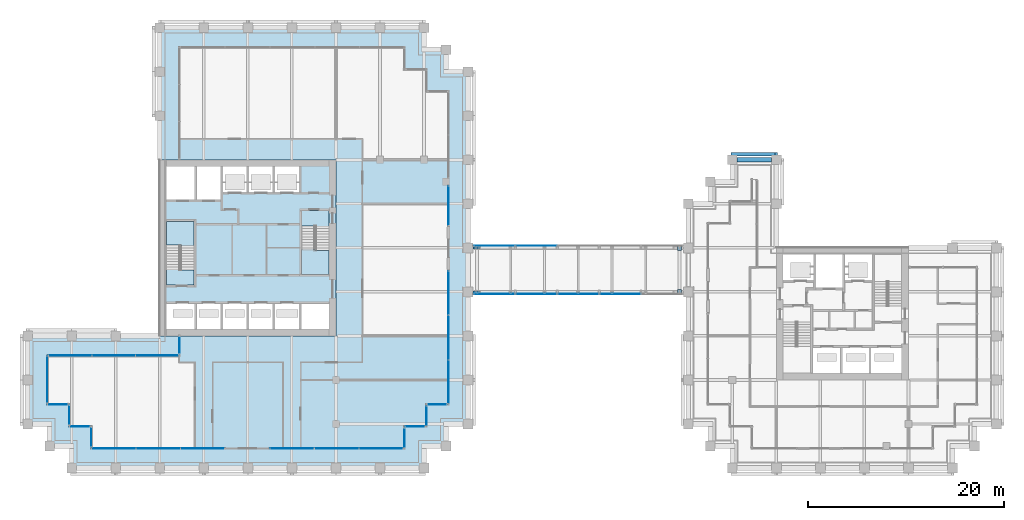
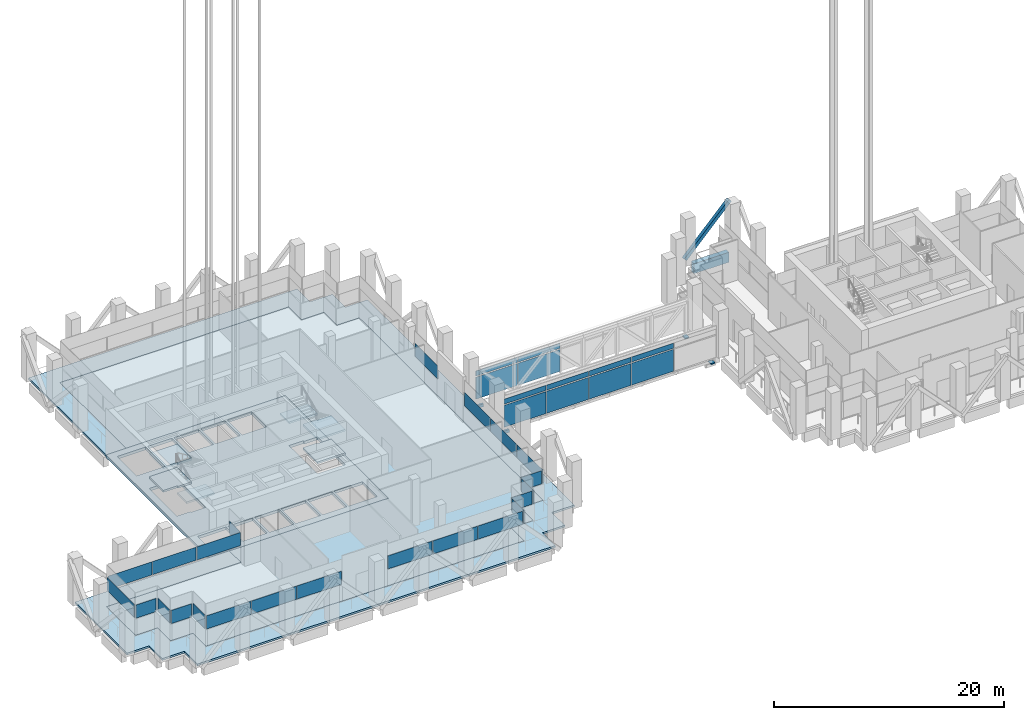
# One storey, part 30 of 48: 35 plates, 9 slabs, 3 beams, 3 members, 19 elements without a shape of their own.
"""IFC4 building model written with IfcOpenShell, lengths in metres."""

from ifc_helpers import new_model, si_unit, direction, frame, origin, origin_2d, place, context, subcontext, project, spatial, polyline, rectangle, hollow_rectangle, outline, extrude, material, layer, layer_set, material_profile, profile_set, type_object, element, aggregate, save


model = new_model("IFC4")

# Units and contexts
model_context = context("Model", 3, precision=1e-05, world=origin(), true_north=direction((0.0, 1.0)))
body_context = subcontext(model_context, "Body", "Model", "MODEL_VIEW")
ifc_project = project(units=[si_unit("LENGTHUNIT", "METRE"), si_unit("AREAUNIT", "SQUARE_METRE"), si_unit("VOLUMEUNIT", "CUBIC_METRE"), si_unit("PLANEANGLEUNIT", "RADIAN"), si_unit("MASSUNIT", "GRAM", prefix="KILO")], contexts=[model_context])

# Site, building, storey
site_placement = place(None, origin())
site = spatial("IfcSite", under=ifc_project, at=site_placement, CompositionType="ELEMENT")
building_placement = place(site_placement, origin())
building = spatial("IfcBuilding", under=site, at=building_placement, Name="Altepetl Exchange Towers", CompositionType="ELEMENT")
storey_placement = place(building_placement, frame((0.0, 0.0, 138.800048828125)))
storey = spatial("IfcBuildingStorey", under=building, at=storey_placement, Name="L34 Refuge and sky lobby", CompositionType="ELEMENT", Elevation=138.800048828125)

# Member
ifc_material_1 = material(Name="Steel S355", Category="steel")
ifc_material_profile_1 = material_profile(ifc_material_1, hollow_rectangle(XDim=0.35595703125, YDim=0.35595703125, WallThickness=0.014892578125, at=origin_2d()), Name="HSS356X356X15.9")
ifc_profile_set_1 = profile_set([ifc_material_profile_1], Name="Steel S355")
member_type_1 = type_object("IfcMemberType", Name="Belt diagonal HSS356X356X15.9", PredefinedType="BRACE", material=ifc_profile_set_1)
member_placement = place(storey_placement, frame((103.5, 59.080078125, 4.75), z_axis=(-0.687744647911, 0.0, -0.725952683906), x_axis=(0.0, -1.0, 0.0)))
element("IfcMember", 1, at=member_placement, inside=storey, type_object=member_type_1, Name="brc:B:L34:011", PredefinedType="BRACE", context=body_context, shape_type="SweptSolid", body=[
    extrude(hollow_rectangle(XDim=0.35595703125, YDim=0.35595703125, WallThickness=0.014892578125, at=origin_2d()), origin(), (0.0, 0.0, 1.0), 6.543212890625),
])

# Beams
ifc_material_profile_2 = material_profile(ifc_material_1, hollow_rectangle(XDim=0.202880859375, YDim=0.304931640625, WallThickness=0.01171875, at=origin_2d()), Name="HSS305X203X12.7")
ifc_profile_set_2 = profile_set([ifc_material_profile_2], Name="Steel S355")
beam_type_1 = type_object("IfcBeamType", Name="Bridge deck beam HSS305X203X12.7", PredefinedType="BEAM", material=ifc_profile_set_2)
for number, where, z_axis, x_axis, name in (
    (2, (72.5, 45.0, -0.657470703125), (1.0, 0.0, 0.0), (0.0, 1.0, 0.0), "bm:X:L34:corbel-as"),
    (3, (72.5, 49.5, -0.657470703125), (1.0, 0.0, 0.0), (0.0, 1.0, 0.0), "bm:X:L34:corbel-an"),
):
    element("IfcBeam", number, at=place(storey_placement, frame(where, z_axis=z_axis, x_axis=x_axis)), inside=storey, type_object=beam_type_1, Name=name, PredefinedType="BEAM", context=body_context, shape_type="SweptSolid", body=[
        extrude(hollow_rectangle(XDim=0.202880859375, YDim=0.304931640625, WallThickness=0.01171875, at=origin_2d()), origin(), (0.0, 0.0, 1.0), 0.699951171875),
    ])

# Members
ifc_material_2 = material(Name="Steel S460", Category="steel")
ifc_material_profile_3 = material_profile(ifc_material_2, rectangle(XDim=0.5, YDim=0.1201171875, at=origin_2d()), Name="500 x 120")
ifc_profile_set_3 = profile_set([ifc_material_profile_3], Name="Steel S460")
member_type_2 = type_object("IfcMemberType", Name="Sliding bearing 500x120", PredefinedType="USERDEFINED", material=ifc_profile_set_3)
for number, where, z_axis, x_axis, name in (
    (4, (93.39990234375, 45.0, -0.56494140625), (1.0, 0.0, 0.0), (0.0, 1.0, 0.0), "Sliding bearing BR2S"),
    (5, (93.39990234375, 49.5, -0.56494140625), (1.0, 0.0, 0.0), (0.0, 1.0, 0.0), "Sliding bearing BR2N"),
):
    element("IfcMember", number, at=place(storey_placement, frame(where, z_axis=z_axis, x_axis=x_axis)), inside=storey, type_object=member_type_2, Name=name, ObjectType="BEARING", PredefinedType="USERDEFINED", context=body_context, shape_type="SweptSolid", body=[
        extrude(rectangle(XDim=0.5, YDim=0.1201171875, at=origin_2d()), origin(), (0.0, 0.0, 1.0), 0.400146484375),
    ])

# Beam
ifc_material_3 = material(Name="Concrete C50/60 precast with cantera rosa facing", Category="concrete")
ifc_material_profile_4 = material_profile(ifc_material_3, rectangle(XDim=0.5, YDim=1.050048828125, at=origin_2d()), Name="500 x 1050")
ifc_profile_set_4 = profile_set([ifc_material_profile_4], Name="Concrete C50/60 precast with cantera rosa facing")
beam_type_2 = type_object("IfcBeamType", Name="Spandrel beam 500x1050 cantera rosa", PredefinedType="SPANDREL", material=ifc_profile_set_4)
beam_placement = place(storey_placement, frame((103.0, 58.5, -0.72509765625), z_axis=(-1.0, 0.0, 0.0), x_axis=(0.0, -1.0, 0.0)))
element("IfcBeam", 6, at=beam_placement, inside=storey, type_object=beam_type_2, Name="sp:B:L34:017", PredefinedType="SPANDREL", context=body_context, shape_type="SweptSolid", body=[
    extrude(rectangle(XDim=0.5, YDim=1.050048828125, at=origin_2d()), origin(), (0.0, 0.0, 1.0), 3.5),
])

# Slabs
ifc_material_4 = material(Name="Concrete C40/50", Category="concrete")
ifc_layer_1 = layer(ifc_material_4, 0.199951171875)
ifc_layer_set_1 = layer_set([ifc_layer_1], Name="Concrete C40/50")
slab_type_1 = type_object("IfcSlabType", Name="Composite floor slab 200", PredefinedType="FLOOR", material=ifc_layer_set_1)
slab_1_placement = place(storey_placement, frame((0.0, 0.0, -0.199951171875)))
element("IfcSlab", 7, at=slab_1_placement, inside=storey, type_object=slab_type_1, Name="slab:A:L34:strip0", PredefinedType="FLOOR", context=body_context, shape_type="SweptSolid", body=[
    extrude(outline(polyline([(42.5, 70.0), (42.5, 58.5), (58.5, 58.5), (58.5, 40.5), (42.5, 40.5), (42.5, 38.5), (29.0, 38.5), (29.0, 33.5), (31.25, 33.5), (31.25, 31.25), (33.5, 31.25), (33.5, 29.0), (65.5, 29.0), (65.5, 31.25), (67.75, 31.25), (67.75, 33.5), (70.0, 33.5), (70.0, 65.5), (67.75, 65.5), (67.75, 67.75), (65.5, 67.75), (65.5, 70.0), (42.5, 70.0)])), origin(), (0.0, 0.0, 1.0), 0.199951171875),
])
ifc_layer_2 = layer(ifc_material_4, 0.300048828125)
ifc_layer_set_2 = layer_set([ifc_layer_2], Name="Concrete C40/50")
slab_type_2 = type_object("IfcSlabType", Name="Core floor slab 300", PredefinedType="FLOOR", material=ifc_layer_set_2)
slab_2_placement = place(storey_placement, frame((0.0, 0.0, -0.300048828125)))
element("IfcSlab", 8, at=slab_2_placement, inside=storey, type_object=slab_type_2, Name="slab:A:L34:core0", PredefinedType="FLOOR", context=body_context, shape_type="SweptSolid", body=[
    extrude(outline(polyline([(40.5, 40.5), (58.5, 40.5), (58.5, 58.5), (40.5, 58.5), (40.5, 40.5)]), holes=[polyline([(41.199951171875, 43.800048828125), (44.06689453125, 43.800048828125), (44.06689453125, 41.199951171875), (41.199951171875, 41.199951171875), (41.199951171875, 43.800048828125)]), polyline([(46.73291015625, 43.800048828125), (46.73291015625, 41.199951171875), (44.26708984375, 41.199951171875), (44.26708984375, 43.800048828125), (46.73291015625, 43.800048828125)]), polyline([(49.39990234375, 43.800048828125), (49.39990234375, 41.199951171875), (46.93310546875, 41.199951171875), (46.93310546875, 43.800048828125), (49.39990234375, 43.800048828125)]), polyline([(44.0, 47.2509765625), (42.550048828125, 47.2509765625), (42.550048828125, 47.35009765625), (41.199951171875, 47.35009765625), (41.199951171875, 52.199951171875), (44.0, 52.199951171875), (44.0, 47.2509765625)]), polyline([(44.06689453125, 57.800048828125), (44.06689453125, 54.39990234375), (41.199951171875, 54.39990234375), (41.199951171875, 57.800048828125), (44.06689453125, 57.800048828125)]), polyline([(46.73291015625, 57.800048828125), (46.73291015625, 54.39990234375), (44.26708984375, 54.39990234375), (44.26708984375, 57.800048828125), (46.73291015625, 57.800048828125)]), polyline([(46.93310546875, 57.800048828125), (49.39990234375, 57.800048828125), (49.39990234375, 55.199951171875), (46.93310546875, 55.199951171875), (46.93310546875, 57.800048828125)]), polyline([(52.06689453125, 43.800048828125), (52.06689453125, 41.199951171875), (49.60009765625, 41.199951171875), (49.60009765625, 43.800048828125), (52.06689453125, 43.800048828125)]), polyline([(54.73291015625, 43.800048828125), (54.73291015625, 41.199951171875), (52.26708984375, 41.199951171875), (52.26708984375, 43.800048828125), (54.73291015625, 43.800048828125)]), polyline([(57.800048828125, 43.800048828125), (57.800048828125, 41.199951171875), (54.93310546875, 41.199951171875), (54.93310546875, 43.800048828125), (57.800048828125, 43.800048828125)]), polyline([(56.449951171875, 51.7490234375), (56.449951171875, 51.64990234375), (57.800048828125, 51.64990234375), (57.800048828125, 46.800048828125), (55.0, 46.800048828125), (55.0, 51.7490234375), (56.449951171875, 51.7490234375)]), polyline([(52.06689453125, 57.800048828125), (52.06689453125, 55.199951171875), (49.60009765625, 55.199951171875), (49.60009765625, 57.800048828125), (52.06689453125, 57.800048828125)]), polyline([(54.73291015625, 57.800048828125), (54.73291015625, 55.199951171875), (52.26708984375, 55.199951171875), (52.26708984375, 57.800048828125), (54.73291015625, 57.800048828125)])]), origin(), (0.0, 0.0, 1.0), 0.300048828125),
])

# Curtain wall, plates
ifc_material_5 = material(Name="Aluminium 6063-T6 glazing", Category="aluminium")
curtain_wall_type_1 = type_object("IfcCurtainWallType", Name="Bridge enclosure system", PredefinedType="NOTDEFINED", material=ifc_material_5)
curtain_wall_1_placement = place(storey_placement, origin())
curtain_wall_1 = element("IfcCurtainWall", 9, at=curtain_wall_1_placement, inside=storey, type_object=curtain_wall_type_1, Name="CW6 run", PredefinedType="NOTDEFINED")
ifc_material_6 = material(Name="Glass 6-16-6 low emissivity", Category="glass")
ifc_layer_3 = layer(ifc_material_6, 0.028076171875)
ifc_layer_set_3 = layer_set([ifc_layer_3], Name="Glass 6-16-6 low emissivity")
plate_type_1 = type_object("IfcPlateType", Name="Glass panel 28 double glazed", PredefinedType="CURTAIN_PANEL", material=ifc_layer_set_3)
plate_1_placement = place(storey_placement, frame((74.705078125, 44.784912109375, 0.0)))
plate_1 = element("IfcPlate", 10, at=plate_1_placement, type_object=plate_type_1, Name="GP1 panel", PredefinedType="CURTAIN_PANEL", context=body_context, shape_type="SweptSolid", body=[
    extrude(rectangle(XDim=4.18994140625, YDim=0.028076171875, at=origin_2d()), origin(), (0.0, 0.0, 1.0), 2.340087890625),
])
plate_2_placement = place(storey_placement, frame((74.705078125, 44.784912109375, 2.4599609375)))
plate_2 = element("IfcPlate", 11, at=plate_2_placement, type_object=plate_type_1, Name="GP1 panel", PredefinedType="CURTAIN_PANEL", context=body_context, shape_type="SweptSolid", body=[
    extrude(rectangle(XDim=4.18994140625, YDim=0.028076171875, at=origin_2d()), origin(), (0.0, 0.0, 1.0), 0.5400390625),
])
plate_3_placement = place(storey_placement, frame((78.969970703125, 44.784912109375, 0.0)))
plate_3 = element("IfcPlate", 12, at=plate_3_placement, type_object=plate_type_1, Name="GP1 panel", PredefinedType="CURTAIN_PANEL", context=body_context, shape_type="SweptSolid", body=[
    extrude(rectangle(XDim=4.219970703125, YDim=0.028076171875, at=origin_2d()), origin(), (0.0, 0.0, 1.0), 2.340087890625),
])
plate_4_placement = place(storey_placement, frame((78.969970703125, 44.784912109375, 2.4599609375)))
plate_4 = element("IfcPlate", 13, at=plate_4_placement, type_object=plate_type_1, Name="GP1 panel", PredefinedType="CURTAIN_PANEL", context=body_context, shape_type="SweptSolid", body=[
    extrude(rectangle(XDim=4.219970703125, YDim=0.028076171875, at=origin_2d()), origin(), (0.0, 0.0, 1.0), 0.5400390625),
])
plate_5_placement = place(storey_placement, frame((83.25, 44.784912109375, 0.0)))
plate_5 = element("IfcPlate", 14, at=plate_5_placement, type_object=plate_type_1, Name="GP1 panel", PredefinedType="CURTAIN_PANEL", context=body_context, shape_type="SweptSolid", body=[
    extrude(rectangle(XDim=4.219970703125, YDim=0.028076171875, at=origin_2d()), origin(), (0.0, 0.0, 1.0), 2.340087890625),
])
plate_6_placement = place(storey_placement, frame((83.25, 44.784912109375, 2.4599609375)))
plate_6 = element("IfcPlate", 15, at=plate_6_placement, type_object=plate_type_1, Name="GP1 panel", PredefinedType="CURTAIN_PANEL", context=body_context, shape_type="SweptSolid", body=[
    extrude(rectangle(XDim=4.219970703125, YDim=0.028076171875, at=origin_2d()), origin(), (0.0, 0.0, 1.0), 0.5400390625),
])
plate_7_placement = place(storey_placement, frame((87.530029296875, 44.784912109375, 0.0)))
plate_7 = element("IfcPlate", 16, at=plate_7_placement, type_object=plate_type_1, Name="GP1 panel", PredefinedType="CURTAIN_PANEL", context=body_context, shape_type="SweptSolid", body=[
    extrude(rectangle(XDim=4.219970703125, YDim=0.028076171875, at=origin_2d()), origin(), (0.0, 0.0, 1.0), 2.340087890625),
])
plate_8_placement = place(storey_placement, frame((87.530029296875, 44.784912109375, 2.4599609375)))
plate_8 = element("IfcPlate", 17, at=plate_8_placement, type_object=plate_type_1, Name="GP1 panel", PredefinedType="CURTAIN_PANEL", context=body_context, shape_type="SweptSolid", body=[
    extrude(rectangle(XDim=4.219970703125, YDim=0.028076171875, at=origin_2d()), origin(), (0.0, 0.0, 1.0), 0.5400390625),
])
aggregate(curtain_wall_1, [plate_1, plate_2, plate_3, plate_4, plate_5, plate_6, plate_7, plate_8])

curtain_wall_2_placement = place(storey_placement, origin())
curtain_wall_2 = element("IfcCurtainWall", 18, at=curtain_wall_2_placement, inside=storey, type_object=curtain_wall_type_1, Name="CW6 run", PredefinedType="NOTDEFINED")
plate_9_placement = place(storey_placement, frame((74.705078125, 49.715087890625, 0.0)))
plate_9 = element("IfcPlate", 19, at=plate_9_placement, type_object=plate_type_1, Name="GP1 panel", PredefinedType="CURTAIN_PANEL", context=body_context, shape_type="SweptSolid", body=[
    extrude(rectangle(XDim=4.18994140625, YDim=0.028076171875, at=origin_2d()), origin(), (0.0, 0.0, 1.0), 2.340087890625),
])
plate_10_placement = place(storey_placement, frame((74.705078125, 49.715087890625, 2.4599609375)))
plate_10 = element("IfcPlate", 20, at=plate_10_placement, type_object=plate_type_1, Name="GP1 panel", PredefinedType="CURTAIN_PANEL", context=body_context, shape_type="SweptSolid", body=[
    extrude(rectangle(XDim=4.18994140625, YDim=0.028076171875, at=origin_2d()), origin(), (0.0, 0.0, 1.0), 0.5400390625),
])
plate_11_placement = place(storey_placement, frame((78.969970703125, 49.715087890625, 0.0)))
plate_11 = element("IfcPlate", 21, at=plate_11_placement, type_object=plate_type_1, Name="GP1 panel", PredefinedType="CURTAIN_PANEL", context=body_context, shape_type="SweptSolid", body=[
    extrude(rectangle(XDim=4.219970703125, YDim=0.028076171875, at=origin_2d()), origin(), (0.0, 0.0, 1.0), 2.340087890625),
])
plate_12_placement = place(storey_placement, frame((78.969970703125, 49.715087890625, 2.4599609375)))
plate_12 = element("IfcPlate", 22, at=plate_12_placement, type_object=plate_type_1, Name="GP1 panel", PredefinedType="CURTAIN_PANEL", context=body_context, shape_type="SweptSolid", body=[
    extrude(rectangle(XDim=4.219970703125, YDim=0.028076171875, at=origin_2d()), origin(), (0.0, 0.0, 1.0), 0.5400390625),
])
aggregate(curtain_wall_2, [plate_9, plate_10, plate_11, plate_12])

# Curtain wall, plate
curtain_wall_type_2 = type_object("IfcCurtainWallType", Name="Refuge slit glazing system", PredefinedType="NOTDEFINED", material=ifc_material_5)
curtain_wall_3_placement = place(storey_placement, origin())
curtain_wall_3 = element("IfcCurtainWall", 23, at=curtain_wall_3_placement, inside=storey, type_object=curtain_wall_type_2, Name="CW3 run", PredefinedType="NOTDEFINED")
ifc_material_7 = material(Name="Glass 8-20-8 solar control", Category="glass")
ifc_layer_4 = layer(ifc_material_7, 0.035888671875)
ifc_layer_set_4 = layer_set([ifc_layer_4], Name="Glass 8-20-8 solar control")
plate_type_2 = type_object("IfcPlateType", Name="Glass panel 36 double glazed", PredefinedType="CURTAIN_PANEL", material=ifc_layer_set_4)
plate_13_placement = place(storey_placement, frame((42.5, 39.550048828125, 1.800048828125), z_axis=(0.0, 0.0, 1.0), x_axis=(0.0, -1.0, 0.0)))
plate_13 = element("IfcPlate", 24, at=plate_13_placement, type_object=plate_type_2, Name="GP2 panel", PredefinedType="CURTAIN_PANEL", context=body_context, shape_type="SweptSolid", body=[
    extrude(rectangle(XDim=1.780029296875, YDim=0.035888671875, at=origin_2d()), origin(), (0.0, 0.0, 1.0), 1.39990234375),
])
aggregate(curtain_wall_3, [plate_13])

# Curtain wall, plates
curtain_wall_4_placement = place(storey_placement, origin())
curtain_wall_4 = element("IfcCurtainWall", 25, at=curtain_wall_4_placement, inside=storey, type_object=curtain_wall_type_2, Name="CW3 run", PredefinedType="NOTDEFINED")
plate_14_placement = place(storey_placement, frame((40.251708984375, 38.5, 1.800048828125), z_axis=(0.0, 0.0, 1.0), x_axis=(-1.0, 0.0, 0.0)))
plate_14 = element("IfcPlate", 26, at=plate_14_placement, type_object=plate_type_2, Name="GP2 panel", PredefinedType="CURTAIN_PANEL", context=body_context, shape_type="SweptSolid", body=[
    extrude(rectangle(XDim=4.376708984375, YDim=0.035888671875, at=origin_2d()), origin(), (0.0, 0.0, 1.0), 1.39990234375),
])
plate_15_placement = place(storey_placement, frame((35.800048828125, 38.5, 1.800048828125), z_axis=(0.0, 0.0, 1.0), x_axis=(-1.0, 0.0, 0.0)))
plate_15 = element("IfcPlate", 27, at=plate_15_placement, type_object=plate_type_2, Name="GP2 panel", PredefinedType="CURTAIN_PANEL", context=body_context, shape_type="SweptSolid", body=[
    extrude(rectangle(XDim=4.40673828125, YDim=0.035888671875, at=origin_2d()), origin(), (0.0, 0.0, 1.0), 1.39990234375),
])
plate_16_placement = place(storey_placement, frame((31.348388671875, 38.5, 1.800048828125), z_axis=(0.0, 0.0, 1.0), x_axis=(-1.0, 0.0, 0.0)))
plate_16 = element("IfcPlate", 28, at=plate_16_placement, type_object=plate_type_2, Name="GP2 panel", PredefinedType="CURTAIN_PANEL", context=body_context, shape_type="SweptSolid", body=[
    extrude(rectangle(XDim=4.376708984375, YDim=0.035888671875, at=origin_2d()), origin(), (0.0, 0.0, 1.0), 1.39990234375),
])
aggregate(curtain_wall_4, [plate_14, plate_15, plate_16])

# Curtain wall, plate
curtain_wall_5_placement = place(storey_placement, origin())
curtain_wall_5 = element("IfcCurtainWall", 29, at=curtain_wall_5_placement, inside=storey, type_object=curtain_wall_type_2, Name="CW3 run", PredefinedType="NOTDEFINED")
plate_17_placement = place(storey_placement, frame((29.0, 36.050048828125, 1.800048828125), z_axis=(0.0, 0.0, 1.0), x_axis=(0.0, -1.0, 0.0)))
plate_17 = element("IfcPlate", 30, at=plate_17_placement, type_object=plate_type_2, Name="GP2 panel", PredefinedType="CURTAIN_PANEL", context=body_context, shape_type="SweptSolid", body=[
    extrude(rectangle(XDim=4.780029296875, YDim=0.035888671875, at=origin_2d()), origin(), (0.0, 0.0, 1.0), 1.39990234375),
])
aggregate(curtain_wall_5, [plate_17])

curtain_wall_6_placement = place(storey_placement, origin())
curtain_wall_6 = element("IfcCurtainWall", 31, at=curtain_wall_6_placement, inside=storey, type_object=curtain_wall_type_2, Name="CW3 run", PredefinedType="NOTDEFINED")
plate_18_placement = place(storey_placement, frame((30.074951171875, 33.5, 1.800048828125)))
plate_18 = element("IfcPlate", 32, at=plate_18_placement, type_object=plate_type_2, Name="GP2 panel", PredefinedType="CURTAIN_PANEL", context=body_context, shape_type="SweptSolid", body=[
    extrude(rectangle(XDim=2.030029296875, YDim=0.035888671875, at=origin_2d()), origin(), (0.0, 0.0, 1.0), 1.39990234375),
])
aggregate(curtain_wall_6, [plate_18])

curtain_wall_7_placement = place(storey_placement, origin())
curtain_wall_7 = element("IfcCurtainWall", 33, at=curtain_wall_7_placement, inside=storey, type_object=curtain_wall_type_2, Name="CW3 run", PredefinedType="NOTDEFINED")
plate_19_placement = place(storey_placement, frame((31.25, 32.425048828125, 1.800048828125), z_axis=(0.0, 0.0, 1.0), x_axis=(0.0, -1.0, 0.0)))
plate_19 = element("IfcPlate", 34, at=plate_19_placement, type_object=plate_type_2, Name="GP2 panel", PredefinedType="CURTAIN_PANEL", context=body_context, shape_type="SweptSolid", body=[
    extrude(rectangle(XDim=2.030029296875, YDim=0.035888671875, at=origin_2d()), origin(), (0.0, 0.0, 1.0), 1.39990234375),
])
aggregate(curtain_wall_7, [plate_19])

curtain_wall_8_placement = place(storey_placement, origin())
curtain_wall_8 = element("IfcCurtainWall", 35, at=curtain_wall_8_placement, inside=storey, type_object=curtain_wall_type_2, Name="CW3 run", PredefinedType="NOTDEFINED")
plate_20_placement = place(storey_placement, frame((32.324951171875, 31.25, 1.800048828125)))
plate_20 = element("IfcPlate", 36, at=plate_20_placement, type_object=plate_type_2, Name="GP2 panel", PredefinedType="CURTAIN_PANEL", context=body_context, shape_type="SweptSolid", body=[
    extrude(rectangle(XDim=2.030029296875, YDim=0.035888671875, at=origin_2d()), origin(), (0.0, 0.0, 1.0), 1.39990234375),
])
aggregate(curtain_wall_8, [plate_20])

curtain_wall_9_placement = place(storey_placement, origin())
curtain_wall_9 = element("IfcCurtainWall", 37, at=curtain_wall_9_placement, inside=storey, type_object=curtain_wall_type_2, Name="CW3 run", PredefinedType="NOTDEFINED")
plate_21_placement = place(storey_placement, frame((33.5, 30.175048828125, 1.800048828125), z_axis=(0.0, 0.0, 1.0), x_axis=(0.0, -1.0, 0.0)))
plate_21 = element("IfcPlate", 38, at=plate_21_placement, type_object=plate_type_2, Name="GP2 panel", PredefinedType="CURTAIN_PANEL", context=body_context, shape_type="SweptSolid", body=[
    extrude(rectangle(XDim=2.030029296875, YDim=0.035888671875, at=origin_2d()), origin(), (0.0, 0.0, 1.0), 1.39990234375),
])
aggregate(curtain_wall_9, [plate_21])

# Curtain wall, plates
curtain_wall_10_placement = place(storey_placement, origin())
curtain_wall_10 = element("IfcCurtainWall", 39, at=curtain_wall_10_placement, inside=storey, type_object=curtain_wall_type_2, Name="CW3 run", PredefinedType="NOTDEFINED")
plate_22_placement = place(storey_placement, frame((35.79345703125, 29.0, 1.800048828125)))
plate_22 = element("IfcPlate", 40, at=plate_22_placement, type_object=plate_type_2, Name="GP2 panel", PredefinedType="CURTAIN_PANEL", context=body_context, shape_type="SweptSolid", body=[
    extrude(rectangle(XDim=4.467041015625, YDim=0.035888671875, at=origin_2d()), origin(), (0.0, 0.0, 1.0), 1.39990234375),
])
plate_23_placement = place(storey_placement, frame((40.335693359375, 29.0, 1.800048828125)))
plate_23 = element("IfcPlate", 41, at=plate_23_placement, type_object=plate_type_2, Name="GP2 panel", PredefinedType="CURTAIN_PANEL", context=body_context, shape_type="SweptSolid", body=[
    extrude(rectangle(XDim=4.4970703125, YDim=0.035888671875, at=origin_2d()), origin(), (0.0, 0.0, 1.0), 1.39990234375),
])
plate_24_placement = place(storey_placement, frame((44.8779296875, 29.0, 1.800048828125)))
plate_24 = element("IfcPlate", 42, at=plate_24_placement, type_object=plate_type_2, Name="GP2 panel", PredefinedType="CURTAIN_PANEL", context=body_context, shape_type="SweptSolid", body=[
    extrude(rectangle(XDim=4.467041015625, YDim=0.035888671875, at=origin_2d()), origin(), (0.0, 0.0, 1.0), 1.39990234375),
])
aggregate(curtain_wall_10, [plate_22, plate_23, plate_24])

curtain_wall_11_placement = place(storey_placement, origin())
curtain_wall_11 = element("IfcCurtainWall", 43, at=curtain_wall_11_placement, inside=storey, type_object=curtain_wall_type_2, Name="CW3 run", PredefinedType="NOTDEFINED")
plate_25_placement = place(storey_placement, frame((54.022216796875, 29.0, 1.800048828125)))
plate_25 = element("IfcPlate", 44, at=plate_25_placement, type_object=plate_type_2, Name="GP2 panel", PredefinedType="CURTAIN_PANEL", context=body_context, shape_type="SweptSolid", body=[
    extrude(rectangle(XDim=4.467041015625, YDim=0.035888671875, at=origin_2d()), origin(), (0.0, 0.0, 1.0), 1.39990234375),
])
plate_26_placement = place(storey_placement, frame((58.564208984375, 29.0, 1.800048828125)))
plate_26 = element("IfcPlate", 45, at=plate_26_placement, type_object=plate_type_2, Name="GP2 panel", PredefinedType="CURTAIN_PANEL", context=body_context, shape_type="SweptSolid", body=[
    extrude(rectangle(XDim=4.4970703125, YDim=0.035888671875, at=origin_2d()), origin(), (0.0, 0.0, 1.0), 1.39990234375),
])
plate_27_placement = place(storey_placement, frame((63.1064453125, 29.0, 1.800048828125)))
plate_27 = element("IfcPlate", 46, at=plate_27_placement, type_object=plate_type_2, Name="GP2 panel", PredefinedType="CURTAIN_PANEL", context=body_context, shape_type="SweptSolid", body=[
    extrude(rectangle(XDim=4.467041015625, YDim=0.035888671875, at=origin_2d()), origin(), (0.0, 0.0, 1.0), 1.39990234375),
])
aggregate(curtain_wall_11, [plate_25, plate_26, plate_27])

# Curtain wall, plate
curtain_wall_12_placement = place(storey_placement, origin())
curtain_wall_12 = element("IfcCurtainWall", 47, at=curtain_wall_12_placement, inside=storey, type_object=curtain_wall_type_2, Name="CW3 run", PredefinedType="NOTDEFINED")
plate_28_placement = place(storey_placement, frame((65.5, 30.074951171875, 1.800048828125), z_axis=(0.0, 0.0, 1.0), x_axis=(0.0, 1.0, 0.0)))
plate_28 = element("IfcPlate", 48, at=plate_28_placement, type_object=plate_type_2, Name="GP2 panel", PredefinedType="CURTAIN_PANEL", context=body_context, shape_type="SweptSolid", body=[
    extrude(rectangle(XDim=2.030029296875, YDim=0.035888671875, at=origin_2d()), origin(), (0.0, 0.0, 1.0), 1.39990234375),
])
aggregate(curtain_wall_12, [plate_28])

curtain_wall_13_placement = place(storey_placement, origin())
curtain_wall_13 = element("IfcCurtainWall", 49, at=curtain_wall_13_placement, inside=storey, type_object=curtain_wall_type_2, Name="CW3 run", PredefinedType="NOTDEFINED")
plate_29_placement = place(storey_placement, frame((66.574951171875, 31.25, 1.800048828125)))
plate_29 = element("IfcPlate", 50, at=plate_29_placement, type_object=plate_type_2, Name="GP2 panel", PredefinedType="CURTAIN_PANEL", context=body_context, shape_type="SweptSolid", body=[
    extrude(rectangle(XDim=2.030029296875, YDim=0.035888671875, at=origin_2d()), origin(), (0.0, 0.0, 1.0), 1.39990234375),
])
aggregate(curtain_wall_13, [plate_29])

curtain_wall_14_placement = place(storey_placement, origin())
curtain_wall_14 = element("IfcCurtainWall", 51, at=curtain_wall_14_placement, inside=storey, type_object=curtain_wall_type_2, Name="CW3 run", PredefinedType="NOTDEFINED")
plate_30_placement = place(storey_placement, frame((67.75, 32.324951171875, 1.800048828125), z_axis=(0.0, 0.0, 1.0), x_axis=(0.0, 1.0, 0.0)))
plate_30 = element("IfcPlate", 52, at=plate_30_placement, type_object=plate_type_2, Name="GP2 panel", PredefinedType="CURTAIN_PANEL", context=body_context, shape_type="SweptSolid", body=[
    extrude(rectangle(XDim=2.030029296875, YDim=0.035888671875, at=origin_2d()), origin(), (0.0, 0.0, 1.0), 1.39990234375),
])
aggregate(curtain_wall_14, [plate_30])

curtain_wall_15_placement = place(storey_placement, origin())
curtain_wall_15 = element("IfcCurtainWall", 53, at=curtain_wall_15_placement, inside=storey, type_object=curtain_wall_type_2, Name="CW3 run", PredefinedType="NOTDEFINED")
plate_31_placement = place(storey_placement, frame((68.824951171875, 33.5, 1.800048828125)))
plate_31 = element("IfcPlate", 54, at=plate_31_placement, type_object=plate_type_2, Name="GP2 panel", PredefinedType="CURTAIN_PANEL", context=body_context, shape_type="SweptSolid", body=[
    extrude(rectangle(XDim=2.030029296875, YDim=0.035888671875, at=origin_2d()), origin(), (0.0, 0.0, 1.0), 1.39990234375),
])
aggregate(curtain_wall_15, [plate_31])

# Curtain wall, plates
curtain_wall_16_placement = place(storey_placement, origin())
curtain_wall_16 = element("IfcCurtainWall", 55, at=curtain_wall_16_placement, inside=storey, type_object=curtain_wall_type_2, Name="CW3 run", PredefinedType="NOTDEFINED")
plate_32_placement = place(storey_placement, frame((70.0, 35.79345703125, 1.800048828125), z_axis=(0.0, 0.0, 1.0), x_axis=(0.0, 1.0, 0.0)))
plate_32 = element("IfcPlate", 56, at=plate_32_placement, type_object=plate_type_2, Name="GP2 panel", PredefinedType="CURTAIN_PANEL", context=body_context, shape_type="SweptSolid", body=[
    extrude(rectangle(XDim=4.467041015625, YDim=0.035888671875, at=origin_2d()), origin(), (0.0, 0.0, 1.0), 1.39990234375),
])
plate_33_placement = place(storey_placement, frame((70.0, 40.335693359375, 1.800048828125), z_axis=(0.0, 0.0, 1.0), x_axis=(0.0, 1.0, 0.0)))
plate_33 = element("IfcPlate", 57, at=plate_33_placement, type_object=plate_type_2, Name="GP2 panel", PredefinedType="CURTAIN_PANEL", context=body_context, shape_type="SweptSolid", body=[
    extrude(rectangle(XDim=4.4970703125, YDim=0.035888671875, at=origin_2d()), origin(), (0.0, 0.0, 1.0), 1.39990234375),
])
plate_34_placement = place(storey_placement, frame((70.0, 44.8779296875, 1.800048828125), z_axis=(0.0, 0.0, 1.0), x_axis=(0.0, 1.0, 0.0)))
plate_34 = element("IfcPlate", 58, at=plate_34_placement, type_object=plate_type_2, Name="GP2 panel", PredefinedType="CURTAIN_PANEL", context=body_context, shape_type="SweptSolid", body=[
    extrude(rectangle(XDim=4.467041015625, YDim=0.035888671875, at=origin_2d()), origin(), (0.0, 0.0, 1.0), 1.39990234375),
])
aggregate(curtain_wall_16, [plate_32, plate_33, plate_34])

# Curtain wall, plate
curtain_wall_17_placement = place(storey_placement, origin())
curtain_wall_17 = element("IfcCurtainWall", 59, at=curtain_wall_17_placement, inside=storey, type_object=curtain_wall_type_2, Name="CW3 run", PredefinedType="NOTDEFINED")
plate_35_placement = place(storey_placement, frame((70.0, 53.791748046875, 1.800048828125), z_axis=(0.0, 0.0, 1.0), x_axis=(0.0, 1.0, 0.0)))
plate_35 = element("IfcPlate", 60, at=plate_35_placement, type_object=plate_type_2, Name="GP2 panel", PredefinedType="CURTAIN_PANEL", context=body_context, shape_type="SweptSolid", body=[
    extrude(rectangle(XDim=4.00634765625, YDim=0.035888671875, at=origin_2d()), origin(), (0.0, 0.0, 1.0), 1.39990234375),
])
aggregate(curtain_wall_17, [plate_35])

# Slab
ifc_layer_5 = layer(ifc_material_4, 0.199951171875)
ifc_layer_set_5 = layer_set([ifc_layer_5], Name="Concrete C40/50")
slab_type_3 = type_object("IfcSlabType", Name="Loggia slab 200", PredefinedType="FLOOR", material=ifc_layer_set_5)
slab_3_placement = place(storey_placement, frame((0.0, 0.0, -0.199951171875)))
element("IfcSlab", 61, at=slab_3_placement, inside=storey, type_object=slab_type_3, Name="slab:A:L34:loggia0", PredefinedType="FLOOR", context=body_context, shape_type="SweptSolid", body=[
    extrude(outline(polyline([(40.5, 72.0), (40.5, 58.5), (42.5, 58.5), (42.5, 70.0), (65.5, 70.0), (65.5, 67.75), (67.75, 67.75), (67.75, 65.5), (70.0, 65.5), (70.0, 33.5), (67.75, 33.5), (67.75, 31.25), (65.5, 31.25), (65.5, 29.0), (33.5, 29.0), (33.5, 31.25), (31.25, 31.25), (31.25, 33.5), (29.0, 33.5), (29.0, 38.5), (42.5, 38.5), (42.5, 40.5), (40.5, 40.5), (27.0, 40.5), (27.0, 31.5), (29.25, 31.5), (29.25, 29.25), (31.5, 29.25), (31.5, 27.0), (58.5, 27.0), (67.5, 27.0), (67.5, 29.25), (69.75, 29.25), (69.75, 31.5), (72.0, 31.5), (72.0, 58.5), (72.0, 67.5), (69.75, 67.5), (69.75, 69.75), (67.5, 69.75), (67.5, 72.0), (40.5, 72.0)])), origin(), (0.0, 0.0, 1.0), 0.199951171875),
])

# Stair, slabs
stair_type = type_object("IfcStairType", Name="Exit stair 1350 flights dogleg", PredefinedType="HALF_TURN_STAIR", material=ifc_material_4)
stair_1_placement = place(storey_placement, origin())
stair_1 = element("IfcStair", 62, at=stair_1_placement, inside=storey, type_object=stair_type, Name="Exit stair 1", PredefinedType="HALF_TURN_STAIR")
ifc_layer_6 = layer(ifc_material_4, 0.199951171875)
ifc_layer_set_6 = layer_set([ifc_layer_6], Name="Concrete C40/50")
slab_type_4 = type_object("IfcSlabType", Name="Stair landing 200 reinforced concrete", PredefinedType="LANDING", material=ifc_layer_set_6)
slab_4_placement = place(storey_placement, frame((0.0, 0.0, 1.050048828125)))
slab_4 = element("IfcSlab", 63, at=slab_4_placement, type_object=slab_type_4, Name="ST-A1d landing 1", PredefinedType="LANDING", context=body_context, shape_type="SweptSolid", body=[
    extrude(outline(polyline([(44.0, 49.669921875), (42.64990234375, 49.669921875), (42.64990234375, 49.77001953125), (42.550048828125, 49.77001953125), (42.550048828125, 49.769287109375), (41.199951171875, 49.769287109375), (41.199951171875, 49.77001953125), (41.199951171875, 52.199951171875), (44.0, 52.199951171875), (44.0, 49.77001953125), (44.0, 49.669921875)])), origin(), (0.0, 0.0, 1.0), 0.199951171875),
])
slab_5_placement = place(storey_placement, frame((0.0, 0.0, 2.300048828125)))
slab_5 = element("IfcSlab", 64, at=slab_5_placement, type_object=slab_type_4, Name="ST-A1d landing 2", PredefinedType="LANDING", context=body_context, shape_type="SweptSolid", body=[
    extrude(outline(polyline([(44.0, 45.699951171875), (41.199951171875, 45.699951171875), (41.199951171875, 47.25), (41.199951171875, 47.35009765625), (42.550048828125, 47.35009765625), (42.550048828125, 47.25), (42.64990234375, 47.25), (42.64990234375, 47.250732421875), (44.0, 47.250732421875), (44.0, 47.25), (44.0, 45.699951171875)])), origin(), (0.0, 0.0, 1.0), 0.199951171875),
])
slab_6_placement = place(storey_placement, frame((0.0, 0.0, 3.550048828125)))
slab_6 = element("IfcSlab", 65, at=slab_6_placement, type_object=slab_type_4, Name="ST-A1d landing 3", PredefinedType="LANDING", context=body_context, shape_type="SweptSolid", body=[
    extrude(outline(polyline([(44.0, 49.669921875), (42.64990234375, 49.669921875), (42.64990234375, 49.77001953125), (42.550048828125, 49.77001953125), (42.550048828125, 49.769287109375), (41.199951171875, 49.769287109375), (41.199951171875, 49.77001953125), (41.199951171875, 52.199951171875), (44.0, 52.199951171875), (44.0, 49.77001953125), (44.0, 49.669921875)])), origin(), (0.0, 0.0, 1.0), 0.199951171875),
])
aggregate(stair_1, [slab_4, slab_5, slab_6])

stair_2_placement = place(storey_placement, origin())
stair_2 = element("IfcStair", 66, at=stair_2_placement, inside=storey, type_object=stair_type, Name="Exit stair 2", PredefinedType="HALF_TURN_STAIR")
slab_7_placement = place(storey_placement, frame((0.0, 0.0, 1.050048828125)))
slab_7 = element("IfcSlab", 67, at=slab_7_placement, type_object=slab_type_4, Name="ST-A2d landing 1", PredefinedType="LANDING", context=body_context, shape_type="SweptSolid", body=[
    extrude(outline(polyline([(57.800048828125, 46.800048828125), (55.0, 46.800048828125), (55.0, 49.22998046875), (55.0, 49.330078125), (56.35009765625, 49.330078125), (56.35009765625, 49.22998046875), (56.449951171875, 49.22998046875), (56.449951171875, 49.230712890625), (57.800048828125, 49.230712890625), (57.800048828125, 49.22998046875), (57.800048828125, 46.800048828125)])), origin(), (0.0, 0.0, 1.0), 0.199951171875),
])
slab_8_placement = place(storey_placement, frame((0.0, 0.0, 2.300048828125)))
slab_8 = element("IfcSlab", 68, at=slab_8_placement, type_object=slab_type_4, Name="ST-A2d landing 2", PredefinedType="LANDING", context=body_context, shape_type="SweptSolid", body=[
    extrude(outline(polyline([(57.800048828125, 51.64990234375), (56.449951171875, 51.64990234375), (56.449951171875, 51.75), (56.35009765625, 51.75), (56.35009765625, 51.749267578125), (55.0, 51.749267578125), (55.0, 51.75), (55.0, 53.300048828125), (57.800048828125, 53.300048828125), (57.800048828125, 51.75), (57.800048828125, 51.64990234375)])), origin(), (0.0, 0.0, 1.0), 0.199951171875),
])
slab_9_placement = place(storey_placement, frame((0.0, 0.0, 3.550048828125)))
slab_9 = element("IfcSlab", 69, at=slab_9_placement, type_object=slab_type_4, Name="ST-A2d landing 3", PredefinedType="LANDING", context=body_context, shape_type="SweptSolid", body=[
    extrude(outline(polyline([(57.800048828125, 46.800048828125), (55.0, 46.800048828125), (55.0, 49.22998046875), (55.0, 49.330078125), (56.35009765625, 49.330078125), (56.35009765625, 49.22998046875), (56.449951171875, 49.22998046875), (56.449951171875, 49.230712890625), (57.800048828125, 49.230712890625), (57.800048828125, 49.22998046875), (57.800048828125, 46.800048828125)])), origin(), (0.0, 0.0, 1.0), 0.199951171875),
])
aggregate(stair_2, [slab_7, slab_8, slab_9])

save(model, "model.ifc")
